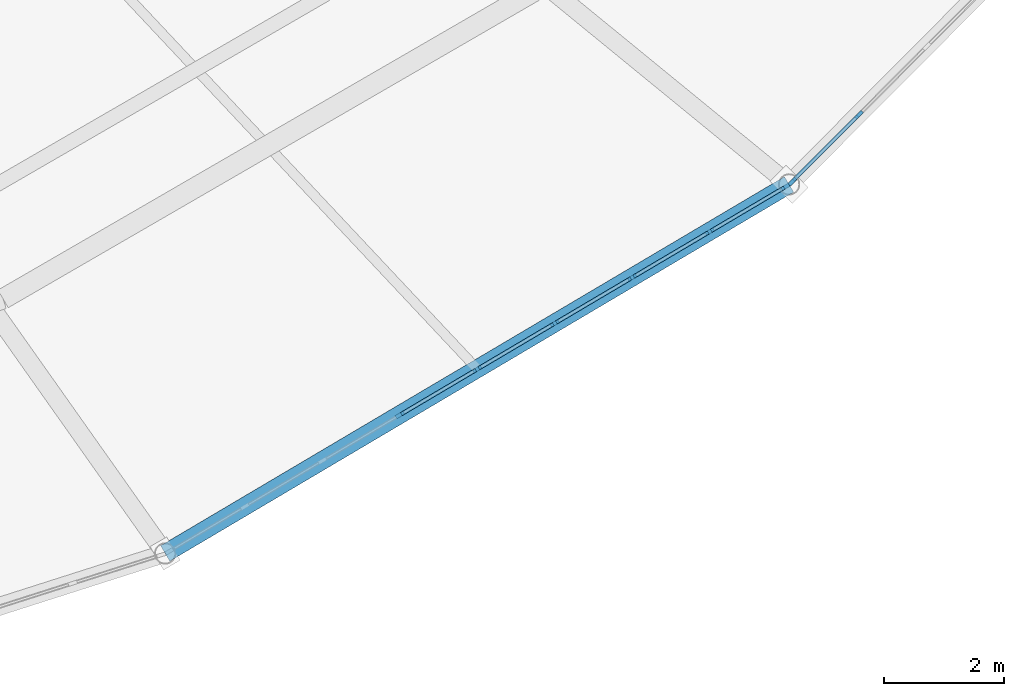
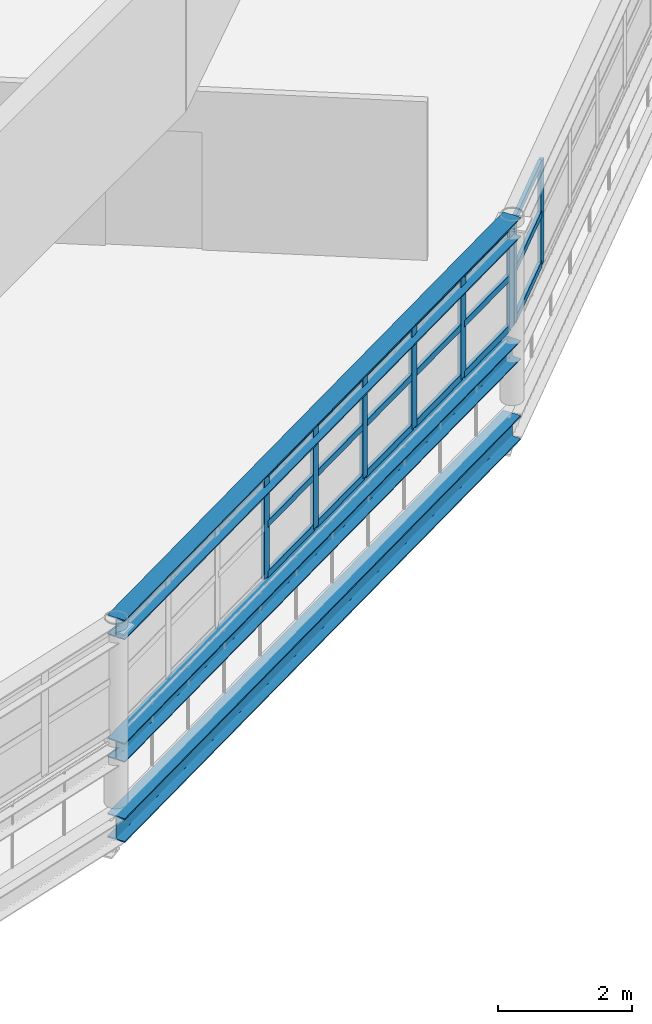
# One storey, part 58 of 123: 26 members, 3 beams, 2 elements without a shape of their own.
"""IFC4 building model written with IfcOpenShell, lengths in metres."""

from ifc_helpers import new_model, si_unit, direction, frame, origin, origin_2d, place, context, subcontext, project, spatial, rectangle, i_section, extrude, material, material_profile, profile_set, type_object, element, aggregate, save


model = new_model("IFC4")

# Units and contexts
model_context = context("Model", 3, precision=1e-05, world=origin(), true_north=direction((0.0, 1.0)))
body_context = subcontext(model_context, "Body", "Model", "MODEL_VIEW")
ifc_project = project(units=[si_unit("LENGTHUNIT", "METRE"), si_unit("AREAUNIT", "SQUARE_METRE"), si_unit("VOLUMEUNIT", "CUBIC_METRE"), si_unit("PLANEANGLEUNIT", "RADIAN"), si_unit("MASSUNIT", "GRAM", prefix="KILO")], contexts=[model_context])

# Site, building, storey
site_placement = place(None, origin())
site = spatial("IfcSite", under=ifc_project, at=site_placement, CompositionType="ELEMENT")
building_placement = place(site_placement, origin())
building = spatial("IfcBuilding", under=site, at=building_placement, Name="Kildeholm Park Wholesale Market", CompositionType="ELEMENT")
storey_placement = place(building_placement, frame((0.0, 0.0, 9.60009765625)))
storey = spatial("IfcBuildingStorey", under=building, at=storey_placement, Name="L02", CompositionType="ELEMENT", Elevation=9.60009765625)

# Beams
ifc_material_1 = material(Name="Steel S355", Category="steel")
ifc_material_profile_1 = material_profile(ifc_material_1, i_section(OverallWidth=0.300048828125, OverallDepth=0.35009765625, WebThickness=0.010009765625, FlangeThickness=0.017578125, FilletRadius=0.027099609375, at=origin_2d()), Name="HEA 360")
ifc_profile_set_1 = profile_set([ifc_material_profile_1], Name="Steel S355")
beam_type_1 = type_object("IfcBeamType", Name="Beam B-R01 HEA 360", PredefinedType="BEAM", material=ifc_profile_set_1)
beam_1_placement = place(storey_placement, frame((124.10009765625, 55.985107421875, 0.94775390625), z_axis=(0.860700316594, 0.509111937609, 0.0), x_axis=(-0.509111937609, 0.860700316594, 0.0)))
element("IfcBeam", 1, at=beam_1_placement, inside=storey, type_object=beam_type_1, Name="Beam BM-V1-S1IN-20 BM-0341", PredefinedType="BEAM", context=body_context, shape_type="SweptSolid", body=[
    extrude(i_section(OverallWidth=0.300048828125, OverallDepth=0.35009765625, WebThickness=0.010009765625, FlangeThickness=0.017578125, FilletRadius=0.027099609375, at=origin_2d()), origin(), (0.0, 0.0, 1.0), 12.07958984375),
])
ifc_material_profile_2 = material_profile(ifc_material_1, i_section(OverallWidth=0.300048828125, OverallDepth=0.43994140625, WebThickness=0.011474609375, FlangeThickness=0.02099609375, FilletRadius=0.027099609375, at=origin_2d()), Name="HEA 450")
ifc_profile_set_2 = profile_set([ifc_material_profile_2], Name="Steel S355")
beam_type_2 = type_object("IfcBeamType", Name="Beam B-R02 HEA 450", PredefinedType="BEAM", material=ifc_profile_set_2)
beam_2_placement = place(storey_placement, frame((124.10009765625, 55.985107421875, -0.47412109375), z_axis=(0.860700316594, 0.509111937609, 0.0), x_axis=(-0.509111937609, 0.860700316594, 0.0)))
element("IfcBeam", 2, at=beam_2_placement, inside=storey, type_object=beam_type_2, Name="Beam BM-V1-L02-CM-20 BM-0188", PredefinedType="BEAM", context=body_context, shape_type="SweptSolid", body=[
    extrude(i_section(OverallWidth=0.300048828125, OverallDepth=0.43994140625, WebThickness=0.011474609375, FlangeThickness=0.02099609375, FilletRadius=0.027099609375, at=origin_2d()), origin(), (0.0, 0.0, 1.0), 12.07958984375),
])
ifc_material_profile_3 = material_profile(ifc_material_1, i_section(OverallWidth=0.300048828125, OverallDepth=0.360107421875, WebThickness=0.012451171875, FlangeThickness=0.0224609375, FilletRadius=0.027099609375, at=origin_2d()), Name="HEB 360")
ifc_profile_set_3 = profile_set([ifc_material_profile_3], Name="Steel S355")
beam_type_3 = type_object("IfcBeamType", Name="Beam B-R03 HEB 360", PredefinedType="BEAM", material=ifc_profile_set_3)
beam_3_placement = place(storey_placement, frame((124.10009765625, 55.985107421875, 3.18994140625), z_axis=(0.860700316594, 0.509111937609, 0.0), x_axis=(-0.509111937609, 0.860700316594, 0.0)))
element("IfcBeam", 3, at=beam_3_placement, inside=storey, type_object=beam_type_3, Name="Beam BM-V1-RF-M1-20 BM-0342", PredefinedType="BEAM", context=body_context, shape_type="SweptSolid", body=[
    extrude(i_section(OverallWidth=0.300048828125, OverallDepth=0.360107421875, WebThickness=0.012451171875, FlangeThickness=0.0224609375, FilletRadius=0.027099609375, at=origin_2d()), origin(), (0.0, 0.0, 1.0), 12.07958984375),
])

# Curtain wall, members
ifc_material_2 = material(Name="Anodised aluminium and low-E double-glazed glass", Category="aluminium")
curtain_wall_type = type_object("IfcCurtainWallType", Name="Clerestory daylight stick curtain wall CW-02", PredefinedType="NOTDEFINED", material=ifc_material_2)
curtain_wall_1_placement = place(storey_placement, origin())
curtain_wall_1 = element("IfcCurtainWall", 4, at=curtain_wall_1_placement, inside=storey, type_object=curtain_wall_type, Name="Curtain wall CW-V1-CL-20 CW-0100", PredefinedType="NOTDEFINED")
ifc_material_3 = material(Name="Anodised aluminium", Category="aluminium")
ifc_material_profile_4 = material_profile(ifc_material_3, rectangle(XDim=0.06005859375, YDim=0.14990234375, at=origin_2d()), Name="CWM 60x150")
ifc_profile_set_4 = profile_set([ifc_material_profile_4], Name="Anodised aluminium")
member_type_1 = type_object("IfcMemberType", Name="Curtain-wall mullion CWM-3 CWM 60x150", PredefinedType="MULLION", material=ifc_profile_set_4)
member_1_placement = place(storey_placement, frame((128.010986328125, 58.29296875, 1.349853515625), z_axis=(0.0, 0.0, 1.0), x_axis=(-0.509105492275, 0.860704129033, 0.0)))
member_1 = element("IfcMember", 5, at=member_1_placement, type_object=member_type_1, Name="CW-02 mullion 4 MEM-3164", PredefinedType="MULLION", context=body_context, shape_type="SweptSolid", body=[
    extrude(rectangle(XDim=0.06005859375, YDim=0.14990234375, at=origin_2d()), origin(), (0.0, 0.0, 1.0), 1.900146484375),
])
member_2_placement = place(storey_placement, frame((129.302001953125, 59.056396484375, 1.349853515625), z_axis=(0.0, 0.0, 1.0), x_axis=(-0.509105492275, 0.860704129033, 0.0)))
member_2 = element("IfcMember", 6, at=member_2_placement, type_object=member_type_1, Name="CW-02 mullion 5 MEM-3165", PredefinedType="MULLION", context=body_context, shape_type="SweptSolid", body=[
    extrude(rectangle(XDim=0.06005859375, YDim=0.14990234375, at=origin_2d()), origin(), (0.0, 0.0, 1.0), 1.900146484375),
])
member_3_placement = place(storey_placement, frame((130.593017578125, 59.820068359375, 1.349853515625), z_axis=(0.0, 0.0, 1.0), x_axis=(-0.509105492275, 0.860704129033, 0.0)))
member_3 = element("IfcMember", 7, at=member_3_placement, type_object=member_type_1, Name="CW-02 mullion 6 MEM-3166", PredefinedType="MULLION", context=body_context, shape_type="SweptSolid", body=[
    extrude(rectangle(XDim=0.06005859375, YDim=0.14990234375, at=origin_2d()), origin(), (0.0, 0.0, 1.0), 1.900146484375),
])
member_4_placement = place(storey_placement, frame((131.884033203125, 60.583740234375, 1.349853515625), z_axis=(0.0, 0.0, 1.0), x_axis=(-0.509105492275, 0.860704129033, 0.0)))
member_4 = element("IfcMember", 8, at=member_4_placement, type_object=member_type_1, Name="CW-02 mullion 7 MEM-3167", PredefinedType="MULLION", context=body_context, shape_type="SweptSolid", body=[
    extrude(rectangle(XDim=0.06005859375, YDim=0.14990234375, at=origin_2d()), origin(), (0.0, 0.0, 1.0), 1.900146484375),
])
member_5_placement = place(storey_placement, frame((133.175048828125, 61.347412109375, 1.349853515625), z_axis=(0.0, 0.0, 1.0), x_axis=(-0.509105492275, 0.860704129033, 0.0)))
member_5 = element("IfcMember", 9, at=member_5_placement, type_object=member_type_1, Name="CW-02 mullion 8 MEM-3168", PredefinedType="MULLION", context=body_context, shape_type="SweptSolid", body=[
    extrude(rectangle(XDim=0.06005859375, YDim=0.14990234375, at=origin_2d()), origin(), (0.0, 0.0, 1.0), 1.900146484375),
])
member_6_placement = place(storey_placement, frame((134.440185546875, 62.095703125, 1.349853515625), z_axis=(0.0, 0.0, 1.0), x_axis=(-0.509105492275, 0.860704129033, 0.0)))
member_6 = element("IfcMember", 10, at=member_6_placement, type_object=member_type_1, Name="CW-02 mullion 9 MEM-3169", PredefinedType="MULLION", context=body_context, shape_type="SweptSolid", body=[
    extrude(rectangle(XDim=0.06005859375, YDim=0.14990234375, at=origin_2d()), origin(), (0.0, 0.0, 1.0), 1.900146484375),
])

curtain_wall_2_placement = place(storey_placement, origin())
curtain_wall_2 = element("IfcCurtainWall", 11, at=curtain_wall_2_placement, inside=storey, type_object=curtain_wall_type, Name="Curtain wall CW-V1-CL-21 CW-0105", PredefinedType="NOTDEFINED")
member_7_placement = place(storey_placement, frame((134.55126953125, 62.18115234375, 1.349853515625), z_axis=(0.0, 0.0, 1.0), x_axis=(-0.708796820959, 0.705412692399, 0.0)))
member_7 = element("IfcMember", 12, at=member_7_placement, type_object=member_type_1, Name="CW-02 mullion 1 MEM-3306", PredefinedType="MULLION", context=body_context, shape_type="SweptSolid", body=[
    extrude(rectangle(XDim=0.06005859375, YDim=0.14990234375, at=origin_2d()), origin(), (0.0, 0.0, 1.0), 1.900146484375),
])
member_8_placement = place(storey_placement, frame((135.66162109375, 63.297119140625, 1.349853515625), z_axis=(0.0, 0.0, 1.0), x_axis=(-0.708796820959, 0.705412692399, 0.0)))
member_8 = element("IfcMember", 13, at=member_8_placement, type_object=member_type_1, Name="CW-02 mullion 2 MEM-3307", PredefinedType="MULLION", context=body_context, shape_type="SweptSolid", body=[
    extrude(rectangle(XDim=0.06005859375, YDim=0.14990234375, at=origin_2d()), origin(), (0.0, 0.0, 1.0), 1.900146484375),
])

# Member
ifc_material_profile_5 = material_profile(ifc_material_3, rectangle(XDim=0.06005859375, YDim=0.1201171875, at=origin_2d()), Name="CWT 60x120")
ifc_profile_set_5 = profile_set([ifc_material_profile_5], Name="Anodised aluminium")
member_type_2 = type_object("IfcMemberType", Name="Curtain-wall transom CWT-3 CWT 60x120", PredefinedType="USERDEFINED", material=ifc_profile_set_5)
member_9_placement = place(storey_placement, frame((128.036865234375, 58.30810546875, 1.3798828125), z_axis=(0.860663121706, 0.509174813728, 0.0), x_axis=(-0.509174813728, 0.860663121706, 0.0)))
member_9 = element("IfcMember", 14, at=member_9_placement, type_object=member_type_2, Name="CW-02 transom 4.1 MEM-3179", ObjectType="TRANSOM", PredefinedType="USERDEFINED", context=body_context, shape_type="SweptSolid", body=[
    extrude(rectangle(XDim=0.06005859375, YDim=0.1201171875, at=origin_2d()), origin(), (0.0, 0.0, 1.0), 1.43994140625),
])

member_10_placement = place(storey_placement, frame((128.036865234375, 58.30810546875, 2.2998046875), z_axis=(0.860663121706, 0.509174813728, 0.0), x_axis=(-0.509174813728, 0.860663121706, 0.0)))
member_10 = element("IfcMember", 15, at=member_10_placement, type_object=member_type_2, Name="CW-02 transom 4.2 MEM-3180", ObjectType="TRANSOM", PredefinedType="USERDEFINED", context=body_context, shape_type="SweptSolid", body=[
    extrude(rectangle(XDim=0.06005859375, YDim=0.1201171875, at=origin_2d()), origin(), (0.0, 0.0, 1.0), 1.43994140625),
])

member_11_placement = place(storey_placement, frame((128.036865234375, 58.30810546875, 3.219970703125), z_axis=(0.860663121706, 0.509174813728, 0.0), x_axis=(-0.509174813728, 0.860663121706, 0.0)))
member_11 = element("IfcMember", 16, at=member_11_placement, type_object=member_type_2, Name="CW-02 transom 4.3 MEM-3181", ObjectType="TRANSOM", PredefinedType="USERDEFINED", context=body_context, shape_type="SweptSolid", body=[
    extrude(rectangle(XDim=0.06005859375, YDim=0.1201171875, at=origin_2d()), origin(), (0.0, 0.0, 1.0), 1.43994140625),
])

member_12_placement = place(storey_placement, frame((129.327880859375, 59.07177734375, 1.3798828125), z_axis=(0.860663121706, 0.509174813728, 0.0), x_axis=(-0.509174813728, 0.860663121706, 0.0)))
member_12 = element("IfcMember", 17, at=member_12_placement, type_object=member_type_2, Name="CW-02 transom 5.1 MEM-3182", ObjectType="TRANSOM", PredefinedType="USERDEFINED", context=body_context, shape_type="SweptSolid", body=[
    extrude(rectangle(XDim=0.06005859375, YDim=0.1201171875, at=origin_2d()), origin(), (0.0, 0.0, 1.0), 1.43994140625),
])

member_13_placement = place(storey_placement, frame((129.327880859375, 59.07177734375, 2.2998046875), z_axis=(0.860663121706, 0.509174813728, 0.0), x_axis=(-0.509174813728, 0.860663121706, 0.0)))
member_13 = element("IfcMember", 18, at=member_13_placement, type_object=member_type_2, Name="CW-02 transom 5.2 MEM-3183", ObjectType="TRANSOM", PredefinedType="USERDEFINED", context=body_context, shape_type="SweptSolid", body=[
    extrude(rectangle(XDim=0.06005859375, YDim=0.1201171875, at=origin_2d()), origin(), (0.0, 0.0, 1.0), 1.43994140625),
])

member_14_placement = place(storey_placement, frame((129.327880859375, 59.07177734375, 3.219970703125), z_axis=(0.860663121706, 0.509174813728, 0.0), x_axis=(-0.509174813728, 0.860663121706, 0.0)))
member_14 = element("IfcMember", 19, at=member_14_placement, type_object=member_type_2, Name="CW-02 transom 5.3 MEM-3184", ObjectType="TRANSOM", PredefinedType="USERDEFINED", context=body_context, shape_type="SweptSolid", body=[
    extrude(rectangle(XDim=0.06005859375, YDim=0.1201171875, at=origin_2d()), origin(), (0.0, 0.0, 1.0), 1.43994140625),
])

member_15_placement = place(storey_placement, frame((130.618896484375, 59.83544921875, 1.3798828125), z_axis=(0.860737422869, 0.509049200838, 0.0), x_axis=(-0.509049200838, 0.860737422869, 0.0)))
member_15 = element("IfcMember", 20, at=member_15_placement, type_object=member_type_2, Name="CW-02 transom 6.1 MEM-3185", ObjectType="TRANSOM", PredefinedType="USERDEFINED", context=body_context, shape_type="SweptSolid", body=[
    extrude(rectangle(XDim=0.06005859375, YDim=0.1201171875, at=origin_2d()), origin(), (0.0, 0.0, 1.0), 1.439697265625),
])

member_16_placement = place(storey_placement, frame((130.618896484375, 59.83544921875, 2.2998046875), z_axis=(0.860737422869, 0.509049200838, 0.0), x_axis=(-0.509049200838, 0.860737422869, 0.0)))
member_16 = element("IfcMember", 21, at=member_16_placement, type_object=member_type_2, Name="CW-02 transom 6.2 MEM-3186", ObjectType="TRANSOM", PredefinedType="USERDEFINED", context=body_context, shape_type="SweptSolid", body=[
    extrude(rectangle(XDim=0.06005859375, YDim=0.1201171875, at=origin_2d()), origin(), (0.0, 0.0, 1.0), 1.439697265625),
])

member_17_placement = place(storey_placement, frame((130.618896484375, 59.83544921875, 3.219970703125), z_axis=(0.860737422869, 0.509049200838, 0.0), x_axis=(-0.509049200838, 0.860737422869, 0.0)))
member_17 = element("IfcMember", 22, at=member_17_placement, type_object=member_type_2, Name="CW-02 transom 6.3 MEM-3187", ObjectType="TRANSOM", PredefinedType="USERDEFINED", context=body_context, shape_type="SweptSolid", body=[
    extrude(rectangle(XDim=0.06005859375, YDim=0.1201171875, at=origin_2d()), origin(), (0.0, 0.0, 1.0), 1.439697265625),
])

member_18_placement = place(storey_placement, frame((131.909912109375, 60.59912109375, 1.3798828125), z_axis=(0.860737422869, 0.509049200838, 0.0), x_axis=(-0.509049200838, 0.860737422869, 0.0)))
member_18 = element("IfcMember", 23, at=member_18_placement, type_object=member_type_2, Name="CW-02 transom 7.1 MEM-3188", ObjectType="TRANSOM", PredefinedType="USERDEFINED", context=body_context, shape_type="SweptSolid", body=[
    extrude(rectangle(XDim=0.06005859375, YDim=0.1201171875, at=origin_2d()), origin(), (0.0, 0.0, 1.0), 1.439697265625),
])

member_19_placement = place(storey_placement, frame((131.909912109375, 60.59912109375, 2.2998046875), z_axis=(0.860737422869, 0.509049200838, 0.0), x_axis=(-0.509049200838, 0.860737422869, 0.0)))
member_19 = element("IfcMember", 24, at=member_19_placement, type_object=member_type_2, Name="CW-02 transom 7.2 MEM-3189", ObjectType="TRANSOM", PredefinedType="USERDEFINED", context=body_context, shape_type="SweptSolid", body=[
    extrude(rectangle(XDim=0.06005859375, YDim=0.1201171875, at=origin_2d()), origin(), (0.0, 0.0, 1.0), 1.439697265625),
])

member_20_placement = place(storey_placement, frame((131.909912109375, 60.59912109375, 3.219970703125), z_axis=(0.860737422869, 0.509049200838, 0.0), x_axis=(-0.509049200838, 0.860737422869, 0.0)))
member_20 = element("IfcMember", 25, at=member_20_placement, type_object=member_type_2, Name="CW-02 transom 7.3 MEM-3190", ObjectType="TRANSOM", PredefinedType="USERDEFINED", context=body_context, shape_type="SweptSolid", body=[
    extrude(rectangle(XDim=0.06005859375, YDim=0.1201171875, at=origin_2d()), origin(), (0.0, 0.0, 1.0), 1.439697265625),
])

member_21_placement = place(storey_placement, frame((133.200927734375, 61.362548828125, 1.3798828125), z_axis=(0.860609208808, 0.509265932214, 0.0), x_axis=(-0.509265932214, 0.860609208808, 0.0)))
member_21 = element("IfcMember", 26, at=member_21_placement, type_object=member_type_2, Name="CW-02 transom 8.1 MEM-3191", ObjectType="TRANSOM", PredefinedType="USERDEFINED", context=body_context, shape_type="SweptSolid", body=[
    extrude(rectangle(XDim=0.06005859375, YDim=0.1201171875, at=origin_2d()), origin(), (0.0, 0.0, 1.0), 1.409912109375),
])

member_22_placement = place(storey_placement, frame((133.200927734375, 61.362548828125, 2.2998046875), z_axis=(0.860609208808, 0.509265932214, 0.0), x_axis=(-0.509265932214, 0.860609208808, 0.0)))
member_22 = element("IfcMember", 27, at=member_22_placement, type_object=member_type_2, Name="CW-02 transom 8.2 MEM-3192", ObjectType="TRANSOM", PredefinedType="USERDEFINED", context=body_context, shape_type="SweptSolid", body=[
    extrude(rectangle(XDim=0.06005859375, YDim=0.1201171875, at=origin_2d()), origin(), (0.0, 0.0, 1.0), 1.409912109375),
])

member_23_placement = place(storey_placement, frame((133.200927734375, 61.362548828125, 3.219970703125), z_axis=(0.860609208808, 0.509265932214, 0.0), x_axis=(-0.509265932214, 0.860609208808, 0.0)))
member_23 = element("IfcMember", 28, at=member_23_placement, type_object=member_type_2, Name="CW-02 transom 8.3 MEM-3193", ObjectType="TRANSOM", PredefinedType="USERDEFINED", context=body_context, shape_type="SweptSolid", body=[
    extrude(rectangle(XDim=0.06005859375, YDim=0.1201171875, at=origin_2d()), origin(), (0.0, 0.0, 1.0), 1.409912109375),
])

aggregate(curtain_wall_1, [member_1, member_2, member_3, member_4, member_5, member_6, member_9, member_10, member_11, member_12, member_13, member_14, member_15, member_16, member_17, member_18, member_19, member_20, member_21, member_22, member_23])

member_24_placement = place(storey_placement, frame((134.572265625, 62.20263671875, 1.3798828125), z_axis=(0.705492388442, 0.708717496504, 0.0), x_axis=(-0.708717496504, 0.705492388442, 0.0)))
member_24 = element("IfcMember", 29, at=member_24_placement, type_object=member_type_2, Name="CW-02 transom 1.1 MEM-3314", ObjectType="TRANSOM", PredefinedType="USERDEFINED", context=body_context, shape_type="SweptSolid", body=[
    extrude(rectangle(XDim=0.06005859375, YDim=0.1201171875, at=origin_2d()), origin(), (0.0, 0.0, 1.0), 1.513916015625),
])

member_25_placement = place(storey_placement, frame((134.572265625, 62.20263671875, 2.2998046875), z_axis=(0.705492388442, 0.708717496504, 0.0), x_axis=(-0.708717496504, 0.705492388442, 0.0)))
member_25 = element("IfcMember", 30, at=member_25_placement, type_object=member_type_2, Name="CW-02 transom 1.2 MEM-3315", ObjectType="TRANSOM", PredefinedType="USERDEFINED", context=body_context, shape_type="SweptSolid", body=[
    extrude(rectangle(XDim=0.06005859375, YDim=0.1201171875, at=origin_2d()), origin(), (0.0, 0.0, 1.0), 1.513916015625),
])

member_26_placement = place(storey_placement, frame((134.572265625, 62.20263671875, 3.219970703125), z_axis=(0.705492388442, 0.708717496504, 0.0), x_axis=(-0.708717496504, 0.705492388442, 0.0)))
member_26 = element("IfcMember", 31, at=member_26_placement, type_object=member_type_2, Name="CW-02 transom 1.3 MEM-3316", ObjectType="TRANSOM", PredefinedType="USERDEFINED", context=body_context, shape_type="SweptSolid", body=[
    extrude(rectangle(XDim=0.06005859375, YDim=0.1201171875, at=origin_2d()), origin(), (0.0, 0.0, 1.0), 1.513916015625),
])

aggregate(curtain_wall_2, [member_7, member_8, member_24, member_25, member_26])

save(model, "model.ifc")
